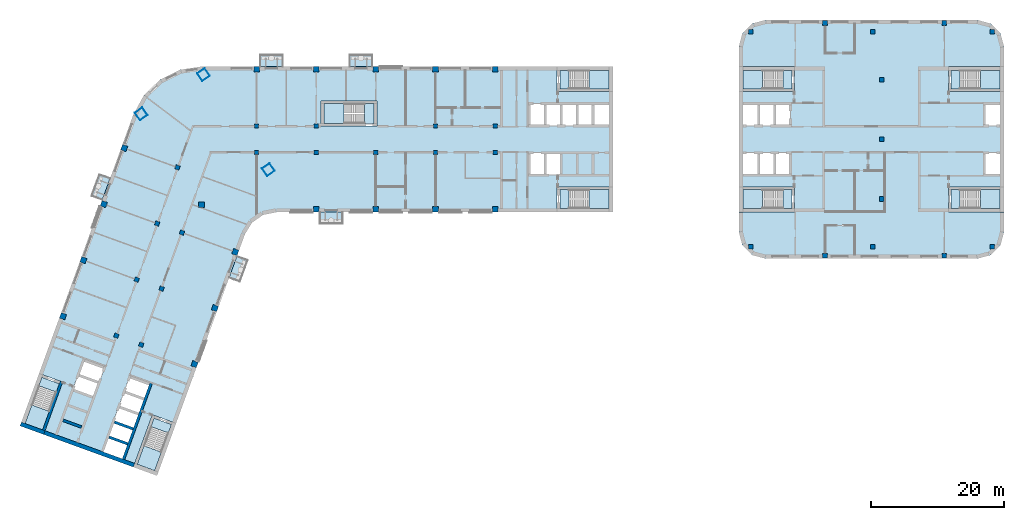
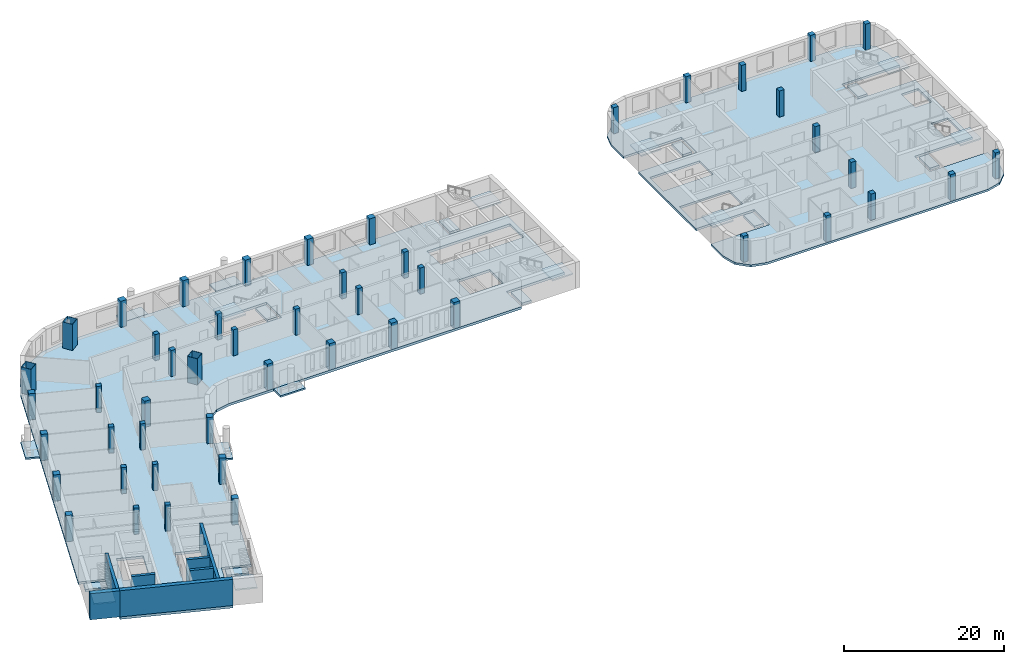
# One storey, part 1 of 16: 49 columns, 25 slabs, 7 walls, 9 elements without a shape of their own.
"""IFC4 building model written with IfcOpenShell, lengths in metres."""

from ifc_helpers import new_model, si_unit, direction, frame, frame_2d, origin, origin_2d, place, context, subcontext, project, spatial, polyline, rectangle, hollow_rectangle, outline, extrude, material, layer, layer_set, material_profile, profile_set, type_object, element, aggregate, save


model = new_model("IFC4")

# Units and contexts
model_context = context("Model", 3, precision=1e-05, world=origin(), true_north=direction((0.0, 1.0)))
body_context = subcontext(model_context, "Body", "Model", "MODEL_VIEW")
ifc_project = project(units=[si_unit("LENGTHUNIT", "METRE"), si_unit("AREAUNIT", "SQUARE_METRE"), si_unit("VOLUMEUNIT", "CUBIC_METRE"), si_unit("PLANEANGLEUNIT", "RADIAN"), si_unit("MASSUNIT", "GRAM", prefix="KILO")], contexts=[model_context])

# Site, building, storey
site_placement = place(None, origin())
site = spatial("IfcSite", under=ifc_project, at=site_placement, CompositionType="ELEMENT")
building_placement = place(site_placement, origin())
building = spatial("IfcBuilding", under=site, at=building_placement, Name="Skarvind Civic Tower", CompositionType="ELEMENT")
storey_placement = place(building_placement, frame((0.0, 0.0, 81.0)))
storey = spatial("IfcBuildingStorey", under=building, at=storey_placement, Name="L18", CompositionType="ELEMENT", Elevation=81.0)

# Columns
ifc_material_1 = material(Name="Concrete C60", Category="concrete")
ifc_material_profile_1 = material_profile(ifc_material_1, rectangle(XDim=0.64990234375, YDim=0.64990234375, at=origin_2d()), Name="RC-650x650")
ifc_profile_set_1 = profile_set([ifc_material_profile_1], Name="Concrete C60")
column_type_1 = type_object("IfcColumnType", Name="Column RC-650x650 C60", PredefinedType="COLUMN", material=ifc_profile_set_1)
for number, where, z_axis, x_axis, name in (
    (1, (54.25, 130.0, 0.0), (0.0, 0.0, 1.0), (1.0, 0.0, 0.0), "Column wing 1 north inner 02 L18"),
    (2, (63.25, 130.0, 0.0), (0.0, 0.0, 1.0), (1.0, 0.0, 0.0), "Column wing 1 north inner 03 L18"),
    (3, (81.25, 130.0, 0.0), (0.0, 0.0, 1.0), (1.0, 0.0, 0.0), "Column wing 1 north inner 05 L18"),
    (4, (90.25, 130.0, 0.0), (0.0, 0.0, 1.0), (1.0, 0.0, 0.0), "Column wing 1 north inner 06 L18"),
    (5, (54.25, 126.0, 0.0), (0.0, 0.0, 1.0), (1.0, 0.0, 0.0), "Column wing 1 south inner 02 L18"),
    (6, (63.25, 126.0, 0.0), (0.0, 0.0, 1.0), (1.0, 0.0, 0.0), "Column wing 1 south inner 03 L18"),
    (7, (72.25, 126.0, 0.0), (0.0, 0.0, 1.0), (1.0, 0.0, 0.0), "Column wing 1 south inner 04 L18"),
    (8, (81.25, 126.0, 0.0), (0.0, 0.0, 1.0), (1.0, 0.0, 0.0), "Column wing 1 south inner 05 L18"),
    (9, (90.25, 126.0, 0.0), (0.0, 0.0, 1.0), (1.0, 0.0, 0.0), "Column wing 1 south inner 06 L18"),
    (10, (43.005615234375, 113.92529296875, 0.0), (0.0, 0.0, 1.0), (-0.342020143326, -0.939692620786, 0.0), "Column wing 2 left inner 02 L18"),
    (11, (39.927490234375, 105.468017578125, 0.0), (0.0, 0.0, 1.0), (-0.342020143326, -0.939692620786, 0.0), "Column wing 2 left inner 03 L18"),
    (12, (36.84912109375, 97.010986328125, 0.0), (0.0, 0.0, 1.0), (-0.342020143326, -0.939692620786, 0.0), "Column wing 2 left inner 04 L18"),
    (13, (42.324951171875, 123.750732421875, 0.0), (0.0, 0.0, 1.0), (-0.342020143326, -0.939692620786, 0.0), "Column wing 2 right inner 01 L18"),
    (14, (39.246826171875, 115.29345703125, 0.0), (0.0, 0.0, 1.0), (-0.342020143326, -0.939692620786, 0.0), "Column wing 2 right inner 02 L18"),
    (15, (36.168701171875, 106.836181640625, 0.0), (0.0, 0.0, 1.0), (-0.342020143326, -0.939692620786, 0.0), "Column wing 2 right inner 03 L18"),
    (16, (33.090576171875, 98.37890625, 0.0), (0.0, 0.0, 1.0), (-0.342020143326, -0.939692620786, 0.0), "Column wing 2 right inner 04 L18"),
):
    element("IfcColumn", number, at=place(storey_placement, frame(where, z_axis=z_axis, x_axis=x_axis)), inside=storey, type_object=column_type_1, Name=name, PredefinedType="COLUMN", context=body_context, shape_type="SweptSolid", body=[
        extrude(rectangle(XDim=0.64990234375, YDim=0.64990234375, at=origin_2d()), origin(), (0.0, 0.0, 1.0), 4.0),
    ])
ifc_material_profile_2 = material_profile(ifc_material_1, rectangle(XDim=0.699951171875, YDim=0.699951171875, at=origin_2d()), Name="RC-700x700")
ifc_profile_set_2 = profile_set([ifc_material_profile_2], Name="Concrete C60")
column_type_2 = type_object("IfcColumnType", Name="Column RC-700x700 C60", PredefinedType="COLUMN", material=ifc_profile_set_2)
for number, where, z_axis, x_axis, name in (
    (17, (128.777099609375, 144.222900390625, 0.0), (0.0, 0.0, 1.0), (1.0, 0.0, 0.0), "Column second tower north-west corner L18"),
    (18, (128.777099609375, 111.777099609375, 0.0), (0.0, 0.0, 1.0), (1.0, 0.0, 0.0), "Column second tower south-west corner L18"),
    (19, (148.550048828125, 119.0, 0.0), (0.0, 0.0, 1.0), (1.0, 0.0, 0.0), "Column second tower middle line 01 L18"),
    (20, (148.550048828125, 128.0, 0.0), (0.0, 0.0, 1.0), (1.0, 0.0, 0.0), "Column second tower middle line 02 L18"),
    (21, (148.550048828125, 137.0, 0.0), (0.0, 0.0, 1.0), (1.0, 0.0, 0.0), "Column second tower middle line 03 L18"),
    (22, (140.0, 145.550048828125, 0.0), (0.0, 0.0, 1.0), (1.0, 0.0, 0.0), "Column second tower north perimeter 02 L18"),
    (23, (147.222900390625, 144.222900390625, 0.0), (0.0, 0.0, 1.0), (1.0, 0.0, 0.0), "Column second tower north perimeter 03 L18"),
    (24, (140.0, 110.449951171875, 0.0), (0.0, 0.0, 1.0), (1.0, 0.0, 0.0), "Column second tower south perimeter 02 L18"),
    (25, (147.222900390625, 111.777099609375, 0.0), (0.0, 0.0, 1.0), (1.0, 0.0, 0.0), "Column second tower south perimeter 03 L18"),
    (26, (165.222900390625, 144.222900390625, 0.0), (0.0, 0.0, 1.0), (1.0, 0.0, 0.0), "Column second tower north-east corner L18"),
    (27, (165.222900390625, 111.777099609375, 0.0), (0.0, 0.0, 1.0), (1.0, 0.0, 0.0), "Column second tower south-east corner L18"),
    (28, (158.0, 145.550048828125, 0.0), (0.0, 0.0, 1.0), (1.0, 0.0, 0.0), "Column second tower north perimeter 04 L18"),
    (29, (158.0, 110.449951171875, 0.0), (0.0, 0.0, 1.0), (1.0, 0.0, 0.0), "Column second tower south perimeter 04 L18"),
):
    element("IfcColumn", number, at=place(storey_placement, frame(where, z_axis=z_axis, x_axis=x_axis)), inside=storey, type_object=column_type_2, Name=name, PredefinedType="COLUMN", context=body_context, shape_type="SweptSolid", body=[
        extrude(rectangle(XDim=0.699951171875, YDim=0.699951171875, at=origin_2d()), origin(), (0.0, 0.0, 1.0), 4.0),
    ])
ifc_material_2 = material(Name="Concrete C80", Category="concrete")
ifc_material_profile_3 = material_profile(ifc_material_2, rectangle(XDim=0.85009765625, YDim=0.85009765625, at=origin_2d()), Name="RC-850x850")
ifc_profile_set_3 = profile_set([ifc_material_profile_3], Name="Concrete C80")
column_type_3 = type_object("IfcColumnType", Name="Column RC-850x850 C80", PredefinedType="COLUMN", material=ifc_profile_set_3)
for number, where, z_axis, x_axis, name in (
    (30, (54.25, 138.550048828125, 0.0), (0.0, 0.0, 1.0), (1.0, 0.0, 0.0), "Column wing 1 north perimeter 02 L18"),
    (31, (63.25, 138.550048828125, 0.0), (0.0, 0.0, 1.0), (1.0, 0.0, 0.0), "Column wing 1 north perimeter 03 L18"),
    (32, (72.25, 138.550048828125, 0.0), (0.0, 0.0, 1.0), (1.0, 0.0, 0.0), "Column wing 1 north perimeter 04 L18"),
    (33, (81.25, 138.550048828125, 0.0), (0.0, 0.0, 1.0), (1.0, 0.0, 0.0), "Column wing 1 north perimeter 05 L18"),
    (34, (90.25, 138.550048828125, 0.0), (0.0, 0.0, 1.0), (1.0, 0.0, 0.0), "Column wing 1 north perimeter 06 L18"),
    (35, (45.95166015625, 118.151611328125, 0.0), (0.0, 0.0, 1.0), (1.0, 0.0, 0.0), "Column wing 1 south perimeter 01 L18"),
    (36, (63.25, 117.449951171875, 0.0), (0.0, 0.0, 1.0), (1.0, 0.0, 0.0), "Column wing 1 south perimeter 03 L18"),
    (37, (72.25, 117.449951171875, 0.0), (0.0, 0.0, 1.0), (1.0, 0.0, 0.0), "Column wing 1 south perimeter 04 L18"),
    (38, (81.25, 117.449951171875, 0.0), (0.0, 0.0, 1.0), (1.0, 0.0, 0.0), "Column wing 1 south perimeter 05 L18"),
    (39, (90.25, 117.449951171875, 0.0), (0.0, 0.0, 1.0), (1.0, 0.0, 0.0), "Column wing 1 south perimeter 06 L18"),
    (40, (51.0400390625, 111.0009765625, 0.0), (0.0, 0.0, 1.0), (-0.342020143326, -0.939692620786, 0.0), "Column wing 2 left perimeter 02 L18"),
    (41, (47.961669921875, 102.5439453125, 0.0), (0.0, 0.0, 1.0), (-0.342020143326, -0.939692620786, 0.0), "Column wing 2 left perimeter 03 L18"),
    (42, (44.883544921875, 94.086669921875, 0.0), (0.0, 0.0, 1.0), (-0.342020143326, -0.939692620786, 0.0), "Column wing 2 left perimeter 04 L18"),
    (43, (34.29052734375, 126.6748046875, 0.0), (0.0, 0.0, 1.0), (-0.342020143326, -0.939692620786, 0.0), "Column wing 2 right perimeter 01 L18"),
    (44, (31.21240234375, 118.2177734375, 0.0), (0.0, 0.0, 1.0), (-0.342020143326, -0.939692620786, 0.0), "Column wing 2 right perimeter 02 L18"),
    (45, (28.13427734375, 109.760498046875, 0.0), (0.0, 0.0, 1.0), (-0.342020143326, -0.939692620786, 0.0), "Column wing 2 right perimeter 03 L18"),
    (46, (25.05615234375, 101.30322265625, 0.0), (0.0, 0.0, 1.0), (-0.342020143326, -0.939692620786, 0.0), "Column wing 2 right perimeter 04 L18"),
):
    element("IfcColumn", number, at=place(storey_placement, frame(where, z_axis=z_axis, x_axis=x_axis)), inside=storey, type_object=column_type_3, Name=name, PredefinedType="COLUMN", context=body_context, shape_type="SweptSolid", body=[
        extrude(rectangle(XDim=0.85009765625, YDim=0.85009765625, at=origin_2d()), origin(), (0.0, 0.0, 1.0), 4.0),
    ])
ifc_material_3 = material(Name="Composite concrete-filled steel tube, Steel SM355 with Concrete C80", Category="concrete")
ifc_material_profile_4 = material_profile(ifc_material_3, hollow_rectangle(XDim=1.39990234375, YDim=1.39990234375, WallThickness=0.0400390625, at=origin_2d()), Name="BOX-1400x1400x40")
ifc_profile_set_4 = profile_set([ifc_material_profile_4], Name="Composite concrete-filled steel tube, Steel SM355 with Concrete C80")
column_type_4 = type_object("IfcColumnType", Name="Mega column BOX-1400x1400x40 filled C80", PredefinedType="COLUMN", material=ifc_profile_set_4)
for number, where, z_axis, x_axis, name in (
    (47, (36.845947265625, 131.837646484375, 0.0), (0.0, 0.0, 1.0), (0.573576436351, -0.819152044289, 0.0), "Mega column 1 L18"),
    (48, (46.2470703125, 137.762451171875, 0.0), (0.0, 0.0, 1.0), (0.573576436351, -0.819152044289, 0.0), "Mega column 2 L18"),
    (49, (56.0361328125, 123.43017578125, 0.0), (0.0, 0.0, 1.0), (0.573576436351, -0.819152044289, 0.0), "Mega column 4 L18"),
):
    element("IfcColumn", number, at=place(storey_placement, frame(where, z_axis=z_axis, x_axis=x_axis)), inside=storey, type_object=column_type_4, Name=name, PredefinedType="COLUMN", context=body_context, shape_type="SweptSolid", body=[
        extrude(hollow_rectangle(XDim=1.39990234375, YDim=1.39990234375, WallThickness=0.0400390625, at=origin_2d()), origin(), (0.0, 0.0, 1.0), 4.0),
    ])

# Slabs
ifc_material_4 = material(Name="Concrete C50", Category="concrete")
ifc_layer_1 = layer(ifc_material_4, 0.375)
ifc_layer_set_1 = layer_set([ifc_layer_1], Name="Floor slab 375 C50")
slab_type_1 = type_object("IfcSlabType", Name="Floor slab 375 C50", PredefinedType="FLOOR", material=ifc_layer_set_1)
slab_1_placement = place(storey_placement, frame((0.0, 0.0, -0.375)))
element("IfcSlab", 50, at=slab_1_placement, inside=storey, type_object=slab_type_1, Name="Floor slab L18 1", PredefinedType="FLOOR", context=body_context, shape_type="SweptSolid", body=[
    extrude(outline(polyline([(99.60009765625, 117.0), (99.60009765625, 120.800048828125), (108.0, 120.800048828125), (108.0, 135.199951171875), (99.60009765625, 135.199951171875), (99.60009765625, 139.0), (46.095458984375, 139.0), (42.739501953125, 138.5009765625), (39.6943359375, 137.005615234375), (37.24755859375, 134.6552734375), (35.630615234375, 131.672607421875), (19.41748046875, 87.126708984375), (21.435302734375, 92.6708984375), (25.006103515625, 91.371337890625), (22.13330078125, 83.477783203125), (36.886474609375, 78.108154296875), (35.664794921875, 78.552734375), (38.53759765625, 86.4462890625), (42.108642578125, 85.146484375), (40.0908203125, 79.602294921875), (40.0908203125, 79.602294921875), (52.493896484375, 113.68017578125), (53.560791015625, 115.421630859375), (55.23388671875, 116.593017578125), (57.235107421875, 117.0), (99.60009765625, 117.0)]), holes=[polyline([(32.625244140625, 85.40576171875), (33.446044921875, 87.660888671875), (34.26708984375, 89.916259765625), (35.087890625, 92.17138671875), (38.28271484375, 91.008544921875), (37.4619140625, 88.75341796875), (36.64111328125, 86.498046875), (35.8203125, 84.242919921875), (35.8203125, 84.242919921875), (34.99951171875, 81.987548828125), (34.178466796875, 79.732421875), (30.983642578125, 80.89501953125), (31.804443359375, 83.150390625), (32.625244140625, 85.40576171875), (32.625244140625, 85.40576171875)]), polyline([(31.3291015625, 93.53955078125), (30.50830078125, 91.2841796875), (29.6875, 89.029052734375), (26.492431640625, 90.19189453125), (27.313232421875, 92.447021484375), (28.134033203125, 94.702392578125), (31.3291015625, 93.53955078125)]), polyline([(64.0, 130.0), (64.0, 133.800048828125), (72.39990234375, 133.800048828125), (72.39990234375, 130.0), (64.0, 130.0)]), polyline([(100.199951171875, 126.0), (100.199951171875, 122.60009765625), (97.800048828125, 122.60009765625), (95.39990234375, 122.60009765625), (95.39990234375, 126.0), (97.800048828125, 126.0), (100.199951171875, 126.0)]), polyline([(100.199951171875, 133.39990234375), (102.60009765625, 133.39990234375), (105.0, 133.39990234375), (107.39990234375, 133.39990234375), (107.39990234375, 130.0), (105.0, 130.0), (102.60009765625, 130.0), (100.199951171875, 130.0), (97.800048828125, 130.0), (95.39990234375, 130.0), (95.39990234375, 133.39990234375), (97.800048828125, 133.39990234375), (100.199951171875, 133.39990234375)])]), origin(), (0.0, 0.0, 1.0), 0.375),
])
ifc_material_5 = material(Name="Precast concrete C40/50", Category="concrete")
ifc_layer_2 = layer(ifc_material_5, 0.25)
ifc_layer_set_2 = layer_set([ifc_layer_2], Name="SX3 BALCONY SLAB 250")
slab_type_2 = type_object("IfcSlabType", Name="SX3 BALCONY SLAB 250", PredefinedType="FLOOR", material=ifc_layer_set_2)
slab_2_placement = place(storey_placement, frame((0.0, 0.0, -0.25)))
element("IfcSlab", 51, at=slab_2_placement, inside=storey, type_object=slab_type_2, Name="TREE BALCONY SLAB", PredefinedType="FLOOR", context=body_context, shape_type="SweptSolid", body=[
    extrude(outline(polyline([(51.308837890625, 110.42431640625), (50.07763671875, 107.04150390625), (51.76904296875, 106.42578125), (53.00048828125, 109.80859375), (51.308837890625, 110.42431640625)])), origin(), (0.0, 0.0, 1.0), 0.25),
])
slab_3_placement = place(storey_placement, frame((0.0, 0.0, -0.25)))
element("IfcSlab", 52, at=slab_3_placement, inside=storey, type_object=slab_type_2, Name="TREE BALCONY SLAB", PredefinedType="FLOOR", context=body_context, shape_type="SweptSolid", body=[
    extrude(outline(polyline([(67.300048828125, 117.0), (63.699951171875, 117.0), (63.699951171875, 115.199951171875), (67.300048828125, 115.199951171875), (67.300048828125, 117.0)])), origin(), (0.0, 0.0, 1.0), 0.25),
])
slab_4_placement = place(storey_placement, frame((0.0, 0.0, -0.25)))
element("IfcSlab", 53, at=slab_4_placement, inside=storey, type_object=slab_type_2, Name="TREE BALCONY SLAB", PredefinedType="FLOOR", context=body_context, shape_type="SweptSolid", body=[
    extrude(outline(polyline([(54.699951171875, 139.0), (58.300048828125, 139.0), (58.300048828125, 140.800048828125), (54.699951171875, 140.800048828125), (54.699951171875, 139.0)])), origin(), (0.0, 0.0, 1.0), 0.25),
])
slab_5_placement = place(storey_placement, frame((0.0, 0.0, -0.25)))
element("IfcSlab", 54, at=slab_5_placement, inside=storey, type_object=slab_type_2, Name="TREE BALCONY SLAB", PredefinedType="FLOOR", context=body_context, shape_type="SweptSolid", body=[
    extrude(outline(polyline([(68.199951171875, 139.0), (71.800048828125, 139.0), (71.800048828125, 140.800048828125), (68.199951171875, 140.800048828125), (68.199951171875, 139.0)])), origin(), (0.0, 0.0, 1.0), 0.25),
])
slab_6_placement = place(storey_placement, frame((0.0, 0.0, -0.25)))
element("IfcSlab", 55, at=slab_6_placement, inside=storey, type_object=slab_type_2, Name="TREE BALCONY SLAB", PredefinedType="FLOOR", context=body_context, shape_type="SweptSolid", body=[
    extrude(outline(polyline([(30.943603515625, 118.79443359375), (32.1748046875, 122.177490234375), (30.4833984375, 122.79296875), (29.252197265625, 119.41015625), (30.943603515625, 118.79443359375)])), origin(), (0.0, 0.0, 1.0), 0.25),
])
ifc_layer_3 = layer(ifc_material_4, 0.324951171875)
ifc_layer_set_3 = layer_set([ifc_layer_3], Name="Second tower floor slab 325 C50")
slab_type_3 = type_object("IfcSlabType", Name="Second tower floor slab 325 C50", PredefinedType="FLOOR", material=ifc_layer_set_3)
slab_7_placement = place(storey_placement, frame((0.0, 0.0, -0.324951171875)))
element("IfcSlab", 56, at=slab_7_placement, inside=storey, type_object=slab_type_3, Name="Floor slab L18 1", PredefinedType="FLOOR", context=body_context, shape_type="SweptSolid", body=[
    extrude(outline(polyline([(127.0, 139.0), (135.39990234375, 139.0), (135.39990234375, 135.199951171875), (127.0, 135.199951171875), (127.0, 120.800048828125), (135.39990234375, 120.800048828125), (135.39990234375, 117.0), (127.0, 117.0), (127.0, 114.0), (127.535888671875, 112.0), (129.0, 110.535888671875), (131.0, 110.0), (163.0, 110.0), (165.0, 110.535888671875), (166.464111328125, 112.0), (167.0, 114.0), (167.0, 117.0), (158.60009765625, 117.0), (158.60009765625, 120.800048828125), (167.0, 120.800048828125), (167.0, 135.199951171875), (158.60009765625, 135.199951171875), (158.60009765625, 139.0), (167.0, 139.0), (167.0, 142.0), (166.464111328125, 144.0), (165.0, 145.464111328125), (163.0, 146.0), (131.0, 146.0), (129.0, 145.464111328125), (127.535888671875, 144.0), (127.0, 142.0), (127.0, 139.0)]), holes=[polyline([(132.39990234375, 126.0), (134.800048828125, 126.0), (134.800048828125, 122.60009765625), (132.39990234375, 122.60009765625), (130.0, 122.60009765625), (127.60009765625, 122.60009765625), (127.60009765625, 126.0), (130.0, 126.0), (132.39990234375, 126.0)]), polyline([(130.0, 133.39990234375), (132.39990234375, 133.39990234375), (134.800048828125, 133.39990234375), (134.800048828125, 130.0), (132.39990234375, 130.0), (130.0, 130.0), (127.60009765625, 130.0), (127.60009765625, 133.39990234375), (130.0, 133.39990234375)]), polyline([(166.39990234375, 126.0), (166.39990234375, 122.60009765625), (164.0, 122.60009765625), (164.0, 126.0), (166.39990234375, 126.0)]), polyline([(166.39990234375, 133.39990234375), (166.39990234375, 130.0), (164.0, 130.0), (164.0, 133.39990234375), (166.39990234375, 133.39990234375)])]), origin(), (0.0, 0.0, 1.0), 0.324951171875),
])
ifc_material_6 = material(Name="Concrete C40/50", Category="concrete")
ifc_layer_4 = layer(ifc_material_6, 0.375)
ifc_layer_set_4 = layer_set([ifc_layer_4], Name="Stair floor landing slab 375")
slab_type_4 = type_object("IfcSlabType", Name="Stair floor landing slab 375", PredefinedType="LANDING", material=ifc_layer_set_4)
slab_8_placement = place(storey_placement, frame((0.0, 0.0, -0.375)))
element("IfcSlab", 57, at=slab_8_placement, inside=storey, type_object=slab_type_4, Name="Stair floor landing", PredefinedType="LANDING", context=body_context, shape_type="SweptSolid", body=[
    extrude(outline(polyline([(101.3505859375, 138.400634765625), (101.3505859375, 135.599365234375), (99.99951171875, 135.599365234375), (99.99951171875, 138.400634765625), (101.3505859375, 138.400634765625)])), origin(), (0.0, 0.0, 1.0), 0.375),
])
slab_9_placement = place(storey_placement, frame((0.0, 0.0, -0.375)))
element("IfcSlab", 58, at=slab_9_placement, inside=storey, type_object=slab_type_4, Name="Stair floor landing", PredefinedType="LANDING", context=body_context, shape_type="SweptSolid", body=[
    extrude(outline(polyline([(101.3505859375, 120.400634765625), (101.3505859375, 117.599365234375), (99.99951171875, 117.599365234375), (99.99951171875, 120.400634765625), (101.3505859375, 120.400634765625)])), origin(), (0.0, 0.0, 1.0), 0.375),
])
slab_10_placement = place(storey_placement, frame((0.0, 0.0, -0.375)))
element("IfcSlab", 59, at=slab_10_placement, inside=storey, type_object=slab_type_4, Name="Stair floor landing", PredefinedType="LANDING", context=body_context, shape_type="SweptSolid", body=[
    extrude(outline(polyline([(40.946533203125, 83.70654296875), (38.314208984375, 84.66455078125), (38.7763671875, 85.934326171875), (41.40869140625, 84.976318359375), (40.946533203125, 83.70654296875)])), origin(), (0.0, 0.0, 1.0), 0.375),
])
slab_11_placement = place(storey_placement, frame((0.0, 0.0, -0.375)))
element("IfcSlab", 60, at=slab_11_placement, inside=storey, type_object=slab_type_4, Name="Stair floor landing", PredefinedType="LANDING", context=body_context, shape_type="SweptSolid", body=[
    extrude(outline(polyline([(24.0322265625, 89.863037109375), (21.39990234375, 90.821044921875), (21.862060546875, 92.090576171875), (24.494384765625, 91.132568359375), (24.0322265625, 89.863037109375)])), origin(), (0.0, 0.0, 1.0), 0.375),
])
slab_12_placement = place(storey_placement, frame((0.0, 0.0, -0.375)))
element("IfcSlab", 61, at=slab_12_placement, inside=storey, type_object=slab_type_4, Name="Stair floor landing", PredefinedType="LANDING", context=body_context, shape_type="SweptSolid", body=[
    extrude(outline(polyline([(133.6494140625, 117.599365234375), (133.6494140625, 120.400634765625), (135.00048828125, 120.400634765625), (135.00048828125, 117.599365234375), (133.6494140625, 117.599365234375)])), origin(), (0.0, 0.0, 1.0), 0.375),
])
slab_13_placement = place(storey_placement, frame((0.0, 0.0, -0.375)))
element("IfcSlab", 62, at=slab_13_placement, inside=storey, type_object=slab_type_4, Name="Stair floor landing", PredefinedType="LANDING", context=body_context, shape_type="SweptSolid", body=[
    extrude(outline(polyline([(133.6494140625, 135.599365234375), (133.6494140625, 138.400634765625), (135.00048828125, 138.400634765625), (135.00048828125, 135.599365234375), (133.6494140625, 135.599365234375)])), origin(), (0.0, 0.0, 1.0), 0.375),
])
slab_14_placement = place(storey_placement, frame((0.0, 0.0, -0.375)))
element("IfcSlab", 63, at=slab_14_placement, inside=storey, type_object=slab_type_4, Name="Stair floor landing", PredefinedType="LANDING", context=body_context, shape_type="SweptSolid", body=[
    extrude(outline(polyline([(160.3505859375, 138.400634765625), (160.3505859375, 135.599365234375), (158.99951171875, 135.599365234375), (158.99951171875, 138.400634765625), (160.3505859375, 138.400634765625)])), origin(), (0.0, 0.0, 1.0), 0.375),
])
slab_15_placement = place(storey_placement, frame((0.0, 0.0, -0.375)))
element("IfcSlab", 64, at=slab_15_placement, inside=storey, type_object=slab_type_4, Name="Stair floor landing", PredefinedType="LANDING", context=body_context, shape_type="SweptSolid", body=[
    extrude(outline(polyline([(160.3505859375, 120.400634765625), (160.3505859375, 117.599365234375), (158.99951171875, 117.599365234375), (158.99951171875, 120.400634765625), (160.3505859375, 120.400634765625)])), origin(), (0.0, 0.0, 1.0), 0.375),
])
slab_16_placement = place(storey_placement, frame((0.0, 0.0, -0.375)))
element("IfcSlab", 65, at=slab_16_placement, inside=storey, type_object=slab_type_4, Name="Stair floor landing", PredefinedType="LANDING", context=body_context, shape_type="SweptSolid", body=[
    extrude(outline(polyline([(70.54931640625, 130.3994140625), (70.54931640625, 133.400634765625), (72.00048828125, 133.400634765625), (72.00048828125, 130.3994140625), (70.54931640625, 130.3994140625)])), origin(), (0.0, 0.0, 1.0), 0.375),
])

# Stair, slab
stair_type_1 = type_object("IfcStairType", Name="Exit stair, half-turn, concrete", PredefinedType="HALF_TURN_STAIR", material=ifc_material_6)
stair_1_placement = place(storey_placement, origin())
stair_1 = element("IfcStair", 66, at=stair_1_placement, inside=storey, type_object=stair_type_1, Name="Exit stair C1S", PredefinedType="HALF_TURN_STAIR")
ifc_layer_5 = layer(ifc_material_6, 0.199951171875)
ifc_layer_set_5 = layer_set([ifc_layer_5], Name="Stair half landing slab")
slab_type_5 = type_object("IfcSlabType", Name="Stair half landing slab", PredefinedType="LANDING", material=ifc_layer_set_5)
slab_17_placement = place(storey_placement, frame((0.0, 0.0, 1.800048828125)))
slab_17 = element("IfcSlab", 67, at=slab_17_placement, type_object=slab_type_5, Name="ST-C1S landing 1", PredefinedType="LANDING", context=body_context, shape_type="SweptSolid", body=[
    extrude(outline(polyline([(104.429443359375, 135.599365234375), (104.429443359375, 138.400634765625), (107.400634765625, 138.400634765625), (107.400634765625, 135.599365234375), (104.429443359375, 135.599365234375)])), origin(), (0.0, 0.0, 1.0), 0.199951171875),
])
aggregate(stair_1, [slab_17])

stair_2_placement = place(storey_placement, origin())
stair_2 = element("IfcStair", 68, at=stair_2_placement, inside=storey, type_object=stair_type_1, Name="Exit stair C1N", PredefinedType="HALF_TURN_STAIR")
slab_18_placement = place(storey_placement, frame((0.0, 0.0, 1.800048828125)))
slab_18 = element("IfcSlab", 69, at=slab_18_placement, type_object=slab_type_5, Name="ST-C1N landing 1", PredefinedType="LANDING", context=body_context, shape_type="SweptSolid", body=[
    extrude(outline(polyline([(104.429443359375, 117.599365234375), (104.429443359375, 120.400634765625), (107.400634765625, 120.400634765625), (107.400634765625, 117.599365234375), (104.429443359375, 117.599365234375)])), origin(), (0.0, 0.0, 1.0), 0.199951171875),
])
aggregate(stair_2, [slab_18])

stair_3_placement = place(storey_placement, origin())
stair_3 = element("IfcStair", 70, at=stair_3_placement, inside=storey, type_object=stair_type_1, Name="Exit stair C2S", PredefinedType="HALF_TURN_STAIR")
slab_19_placement = place(storey_placement, frame((0.0, 0.0, 1.800048828125)))
slab_19 = element("IfcSlab", 71, at=slab_19_placement, type_object=slab_type_5, Name="ST-C2S landing 1", PredefinedType="LANDING", context=body_context, shape_type="SweptSolid", body=[
    extrude(outline(polyline([(37.26123046875, 81.771484375), (39.8935546875, 80.8134765625), (38.87744140625, 78.021484375), (36.2451171875, 78.9794921875), (37.26123046875, 81.771484375)])), origin(), (0.0, 0.0, 1.0), 0.199951171875),
])
aggregate(stair_3, [slab_19])

stair_4_placement = place(storey_placement, origin())
stair_4 = element("IfcStair", 72, at=stair_4_placement, inside=storey, type_object=stair_type_1, Name="Exit stair C2N", PredefinedType="HALF_TURN_STAIR")
slab_20_placement = place(storey_placement, frame((0.0, 0.0, 1.800048828125)))
slab_20 = element("IfcSlab", 73, at=slab_20_placement, type_object=slab_type_5, Name="ST-C2N landing 1", PredefinedType="LANDING", context=body_context, shape_type="SweptSolid", body=[
    extrude(outline(polyline([(20.346923828125, 87.927734375), (22.97900390625, 86.9697265625), (21.962890625, 84.177734375), (19.33056640625, 85.1357421875), (20.346923828125, 87.927734375)])), origin(), (0.0, 0.0, 1.0), 0.199951171875),
])
aggregate(stair_4, [slab_20])

stair_5_placement = place(storey_placement, origin())
stair_5 = element("IfcStair", 74, at=stair_5_placement, inside=storey, type_object=stair_type_1, Name="Exit stair CAS", PredefinedType="HALF_TURN_STAIR")
slab_21_placement = place(storey_placement, frame((0.0, 0.0, 1.800048828125)))
slab_21 = element("IfcSlab", 75, at=slab_21_placement, type_object=slab_type_5, Name="ST-CAS landing 1", PredefinedType="LANDING", context=body_context, shape_type="SweptSolid", body=[
    extrude(outline(polyline([(130.570556640625, 120.400634765625), (130.570556640625, 117.599365234375), (127.599365234375, 117.599365234375), (127.599365234375, 120.400634765625), (130.570556640625, 120.400634765625)])), origin(), (0.0, 0.0, 1.0), 0.199951171875),
])
aggregate(stair_5, [slab_21])

stair_6_placement = place(storey_placement, origin())
stair_6 = element("IfcStair", 76, at=stair_6_placement, inside=storey, type_object=stair_type_1, Name="Exit stair CAN", PredefinedType="HALF_TURN_STAIR")
slab_22_placement = place(storey_placement, frame((0.0, 0.0, 1.800048828125)))
slab_22 = element("IfcSlab", 77, at=slab_22_placement, type_object=slab_type_5, Name="ST-CAN landing 1", PredefinedType="LANDING", context=body_context, shape_type="SweptSolid", body=[
    extrude(outline(polyline([(130.570556640625, 138.400634765625), (130.570556640625, 135.599365234375), (127.599365234375, 135.599365234375), (127.599365234375, 138.400634765625), (130.570556640625, 138.400634765625)])), origin(), (0.0, 0.0, 1.0), 0.199951171875),
])
aggregate(stair_6, [slab_22])

stair_7_placement = place(storey_placement, origin())
stair_7 = element("IfcStair", 78, at=stair_7_placement, inside=storey, type_object=stair_type_1, Name="Exit stair CBS", PredefinedType="HALF_TURN_STAIR")
slab_23_placement = place(storey_placement, frame((0.0, 0.0, 1.800048828125)))
slab_23 = element("IfcSlab", 79, at=slab_23_placement, type_object=slab_type_5, Name="ST-CBS landing 1", PredefinedType="LANDING", context=body_context, shape_type="SweptSolid", body=[
    extrude(outline(polyline([(163.429443359375, 135.599365234375), (163.429443359375, 138.400634765625), (166.400634765625, 138.400634765625), (166.400634765625, 135.599365234375), (163.429443359375, 135.599365234375)])), origin(), (0.0, 0.0, 1.0), 0.199951171875),
])
aggregate(stair_7, [slab_23])

stair_8_placement = place(storey_placement, origin())
stair_8 = element("IfcStair", 80, at=stair_8_placement, inside=storey, type_object=stair_type_1, Name="Exit stair CBN", PredefinedType="HALF_TURN_STAIR")
slab_24_placement = place(storey_placement, frame((0.0, 0.0, 1.800048828125)))
slab_24 = element("IfcSlab", 81, at=slab_24_placement, type_object=slab_type_5, Name="ST-CBN landing 1", PredefinedType="LANDING", context=body_context, shape_type="SweptSolid", body=[
    extrude(outline(polyline([(163.429443359375, 117.599365234375), (163.429443359375, 120.400634765625), (166.400634765625, 120.400634765625), (166.400634765625, 117.599365234375), (163.429443359375, 117.599365234375)])), origin(), (0.0, 0.0, 1.0), 0.199951171875),
])
aggregate(stair_8, [slab_24])

stair_type_2 = type_object("IfcStairType", Name="Exit stair 1450, half-turn, concrete", PredefinedType="HALF_TURN_STAIR", material=ifc_material_6)
stair_9_placement = place(storey_placement, origin())
stair_9 = element("IfcStair", 82, at=stair_9_placement, inside=storey, type_object=stair_type_2, Name="Exit stair CM", PredefinedType="HALF_TURN_STAIR")
slab_25_placement = place(storey_placement, frame((0.0, 0.0, 1.800048828125)))
slab_25 = element("IfcSlab", 83, at=slab_25_placement, type_object=slab_type_5, Name="ST-CM landing 1", PredefinedType="LANDING", context=body_context, shape_type="SweptSolid", body=[
    extrude(outline(polyline([(67.470703125, 133.400634765625), (67.470703125, 130.3994140625), (64.3994140625, 130.3994140625), (64.3994140625, 133.400634765625), (67.470703125, 133.400634765625)])), origin(), (0.0, 0.0, 1.0), 0.199951171875),
])
aggregate(stair_9, [slab_25])

# Walls
ifc_layer_6 = layer(ifc_material_2, 0.39990234375)
ifc_layer_set_6 = layer_set([ifc_layer_6], Name="Core wall 400 C80")
wall_type_1 = type_object("IfcWallType", Name="Core wall 400 C80", PredefinedType="SHEAR", material=ifc_layer_set_6)
wall_1_placement = place(storey_placement, frame((22.150390625, 84.110107421875, 0.0), z_axis=(0.0, 0.0, 1.0), x_axis=(0.342016982193, 0.939693771338, 0.0)))
element("IfcWall", 84, at=wall_1_placement, inside=storey, type_object=wall_type_1, Name="Core wall C2 north stair inner L18", PredefinedType="SHEAR", context=body_context, shape_type="SweptSolid", body=[
    extrude(rectangle(XDim=7.800048828125, YDim=0.39990234375, at=frame_2d((3.89990234375, 0.0))), origin(), (0.0, 0.0, 1.0), 4.0),
])
wall_2_placement = place(storey_placement, frame((34.178466796875, 79.732177734375, 0.0), z_axis=(0.0, 0.0, 1.0), x_axis=(0.342014590177, 0.939694641948, 0.0)))
element("IfcWall", 85, at=wall_2_placement, inside=storey, type_object=wall_type_1, Name="Core wall C2 south lift row back L18", PredefinedType="SHEAR", context=body_context, shape_type="SweptSolid", body=[
    extrude(rectangle(XDim=12.2001953125, YDim=0.39990234375, at=frame_2d((6.10009765625, 0.0))), origin(), (0.0, 0.0, 1.0), 4.0),
])
for number, where, z_axis, x_axis, name in (
    (86, (34.8115234375, 82.055908203125, 0.0), (0.0, 0.0, 1.0), (-0.939686455819, 0.342037080957, 0.0), "Core wall C2 south lift row division 1 L18"),
    (87, (35.63232421875, 84.311279296875, 0.0), (0.0, 0.0, 1.0), (-0.939712609717, 0.341965219194, 0.0), "Core wall C2 south lift row division 2 L18"),
    (88, (27.857666015625, 84.5869140625, 0.0), (0.0, 0.0, 1.0), (-0.939686455819, 0.342037080957, 0.0), "Core wall C2 north lift row division 1 L18"),
):
    element("IfcWall", number, at=place(storey_placement, frame(where, z_axis=z_axis, x_axis=x_axis)), inside=storey, type_object=wall_type_1, Name=name, PredefinedType="SHEAR", context=body_context, shape_type="SweptSolid", body=[
        extrude(rectangle(XDim=3.0, YDim=0.39990234375, at=frame_2d((1.5, 0.0))), origin(), (0.0, 0.0, 1.0), 4.0),
    ])
ifc_layer_7 = layer(ifc_material_2, 0.60009765625)
ifc_layer_set_7 = layer_set([ifc_layer_7], Name="Core wall 600 C80")
wall_type_2 = type_object("IfcWallType", Name="Core wall 600 C80", PredefinedType="SHEAR", material=ifc_layer_set_7)
wall_3_placement = place(storey_placement, frame((35.767333984375, 78.834716796875, 0.0), z_axis=(0.0, 0.0, 1.0), x_axis=(-0.939692894512, 0.342019391267, 0.0)))
element("IfcWall", 89, at=wall_3_placement, inside=storey, type_object=wall_type_2, Name="Core wall C2 tip between the stairs L18", PredefinedType="SHEAR", context=body_context, shape_type="SweptSolid", body=[
    extrude(rectangle(XDim=14.39990234375, YDim=0.60009765625, at=frame_2d((7.199951171875, 0.0))), origin(), (0.0, 0.0, 1.0), 4.0),
])
wall_4_placement = place(storey_placement, frame((22.23583984375, 83.759765625, 0.0), z_axis=(0.0, 0.0, 1.0), x_axis=(-0.939680822529, 0.342052557032, 0.0)))
element("IfcWall", 90, at=wall_4_placement, inside=storey, type_object=wall_type_2, Name="Core wall C2 tip at the north stair L18", PredefinedType="SHEAR", context=body_context, shape_type="SweptSolid", body=[
    extrude(rectangle(XDim=3.800048828125, YDim=0.60009765625, at=frame_2d((1.89990234375, 0.0))), origin(), (0.0, 0.0, 1.0), 4.0),
])

save(model, "model.ifc")
